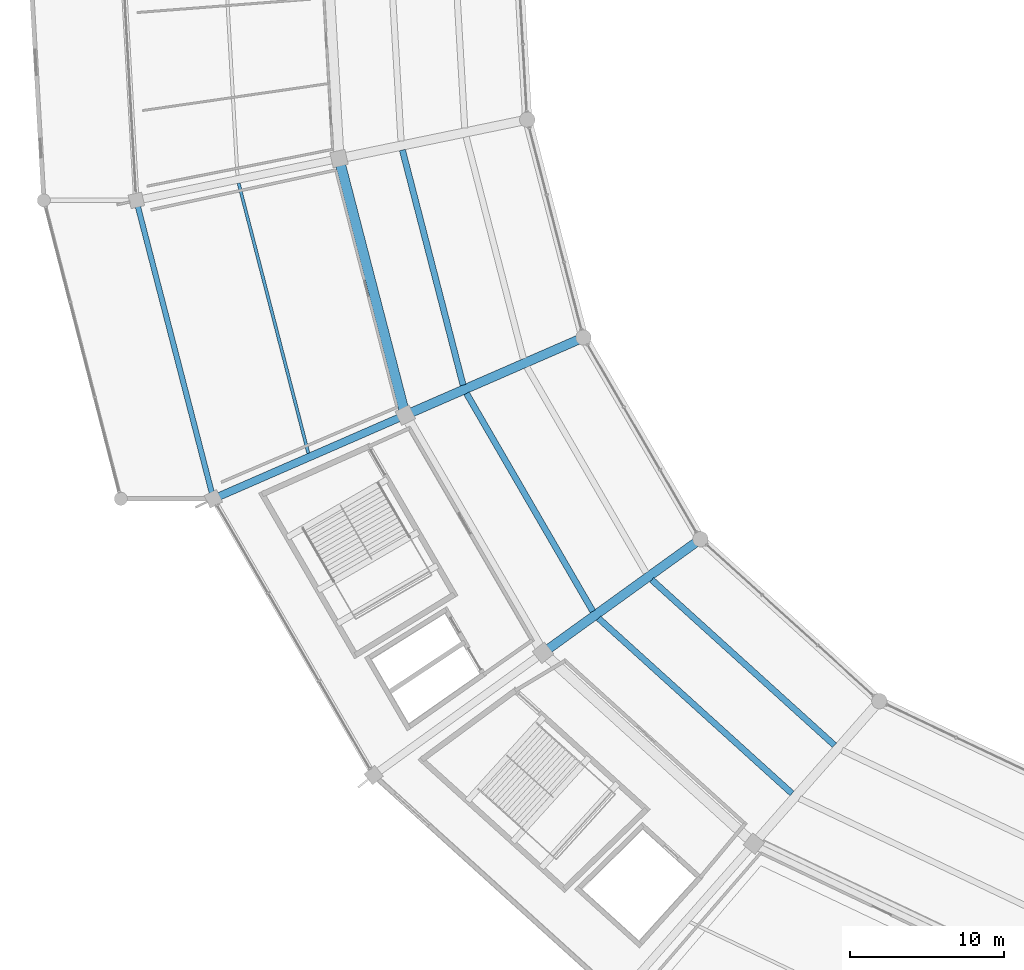
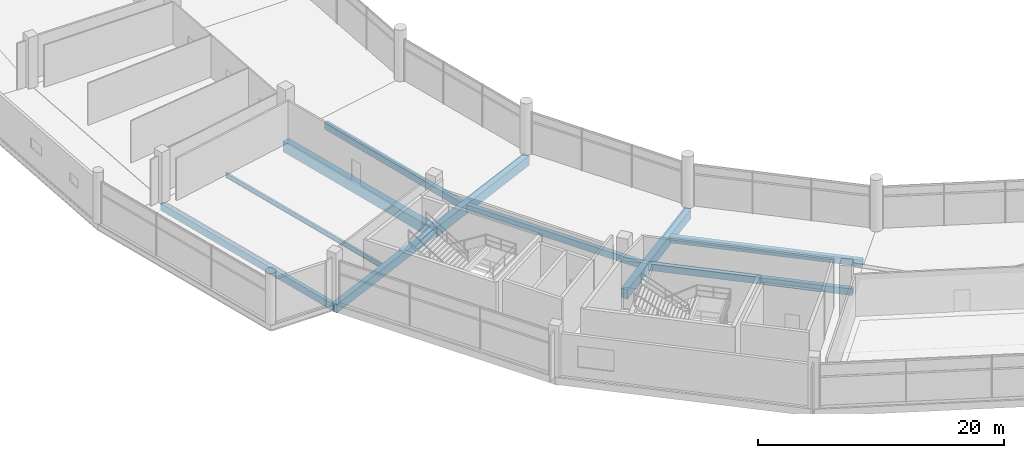
# One storey, part 11 of 184: 10 beams.
"""IFC4 building model written with IfcOpenShell, lengths in metres."""

import ifcopenshell
import ifcopenshell.guid

model = None  # the IFC model being written
_history = None  # IfcOwnerHistory: only IFC2X3 demands one
_inside = {}  # id of a spatial element -> (the spatial element, [elements in it])
_under = {}  # id of a project, library or spatial element -> (it, [spatial elements below it])
_declared = {}  # id of a project -> (the project, [libraries it declares])
_typed = {}  # id of a type object -> (the type object, [elements of that type])
_made_of = {}  # id of a material, layer set ... -> (it, [elements and type objects made of it])


def new_model(schema):
    """Start an empty IFC model of exactly this schema.

    Asked for "IFC4X3", IfcOpenShell would pick the latest addendum, in which some entities
    have other attributes; the version numbers below select the first issue.
    IFC2X3 requires an IfcOwnerHistory on every rooted entity: one is made here for all.
    """
    global model, _history
    if schema == "IFC4X3":
        model = ifcopenshell.file(schema_version=(4, 3, 0, 0))
    else:
        model = ifcopenshell.file(schema=schema)
    _inside.clear()
    _under.clear()
    _declared.clear()
    _typed.clear()
    _made_of.clear()
    _history = None
    if model.schema == "IFC2X3":
        org = make("IfcOrganization", Name="unknown")
        user = make(
            "IfcPersonAndOrganization",
            ThePerson=make("IfcPerson", FamilyName="unknown"),
            TheOrganization=org,
        )
        app = make(
            "IfcApplication",
            ApplicationDeveloper=org,
            Version="unknown",
            ApplicationFullName="unknown",
            ApplicationIdentifier="unknown",
        )
        _history = make(
            "IfcOwnerHistory",
            OwningUser=user,
            OwningApplication=app,
            ChangeAction="ADDED",
            CreationDate=0,
        )
    return model


def make(cls, **values):
    """One entity of the class cls with the attributes given. An attribute that is None is left unset."""
    return model.create_entity(
        cls, **{name: value for name, value in values.items() if value is not None}
    )


def rooted(cls, **values):
    """An entity with a GlobalId (a new one), such as an element, a storey or a relation."""
    return make(cls, GlobalId=ifcopenshell.guid.new(), OwnerHistory=_history, **values)


def si_unit(unit_type, name, prefix=None):
    """IfcSIUnit, for example si_unit("LENGTHUNIT", "METRE", prefix="MILLI")."""
    return make("IfcSIUnit", UnitType=unit_type, Prefix=prefix, Name=name)


def assignment(units):
    """IfcUnitAssignment: the units of a project."""
    return None if units is None else make("IfcUnitAssignment", Units=units)


def point(xyz):
    """IfcCartesianPoint."""
    return None if xyz is None else make("IfcCartesianPoint", Coordinates=xyz)


def direction(xyz):
    """IfcDirection."""
    return None if xyz is None else make("IfcDirection", DirectionRatios=xyz)


def frame(location, z_axis=None, x_axis=None):
    """IfcAxis2Placement3D, a coordinate frame: its origin and axes. An axis left out is left unset."""
    return make(
        "IfcAxis2Placement3D",
        Location=point(location),
        Axis=direction(z_axis),
        RefDirection=direction(x_axis),
    )


def frame_2d(location, x_axis=None):
    """IfcAxis2Placement2D, a coordinate frame in the plane: its origin and x axis."""
    return make(
        "IfcAxis2Placement2D", Location=point(location), RefDirection=direction(x_axis)
    )


def origin():
    """The frame at (0, 0, 0) with its axes left unset."""
    return frame((0.0, 0.0, 0.0))


def origin_2d():
    """The frame at (0, 0) in the plane with its x axis left unset."""
    return frame_2d((0.0, 0.0))


def place(relative_to, where):
    """IfcLocalPlacement: puts the frame where relative to a parent placement (None: the world)."""
    return make(
        "IfcLocalPlacement", PlacementRelTo=relative_to, RelativePlacement=where
    )


def context(
    kind, dimensions, precision=None, world=None, true_north=None, identifier=None
):
    """IfcGeometricRepresentationContext, for example the 3D "Model" context."""
    return make(
        "IfcGeometricRepresentationContext",
        ContextIdentifier=identifier,
        ContextType=kind,
        CoordinateSpaceDimension=dimensions,
        Precision=precision,
        WorldCoordinateSystem=world,
        TrueNorth=true_north,
    )


def subcontext(parent, identifier, kind, view, scale=None):
    """IfcGeometricRepresentationSubContext, for example "Body" below "Model"."""
    return make(
        "IfcGeometricRepresentationSubContext",
        ContextIdentifier=identifier,
        ContextType=kind,
        ParentContext=parent,
        TargetScale=scale,
        TargetView=view,
    )


def project(units=None, contexts=None):
    """IfcProject with its units and contexts."""
    return rooted(
        "IfcProject",
        Name="project",
        RepresentationContexts=contexts,
        UnitsInContext=assignment(units),
    )


def spatial(cls, under=None, at=None, **own):
    """A site, building, storey or space (cls), placed at a placement, below another one or the project."""
    s = rooted(cls, ObjectPlacement=at, **own)
    if under is not None:
        _under.setdefault(under.id(), (under, []))[1].append(s)
    return s


def profile(cls, at=None, kind="AREA", **sizes):
    """A parametric profile (cls). Its sizes go by their IFC names, for example OverallWidth=200.0."""
    return make(cls, ProfileType=kind, Position=at, **sizes)


def rectangle(**sizes):
    """IfcRectangleProfileDef."""
    return profile("IfcRectangleProfileDef", **sizes)


def i_section(**sizes):
    """IfcIShapeProfileDef."""
    return profile("IfcIShapeProfileDef", **sizes)


def extrude(swept, where, along, depth):
    """IfcExtrudedAreaSolid: the profile swept, set in the frame where, extruded along a direction by depth."""
    return make(
        "IfcExtrudedAreaSolid",
        SweptArea=swept,
        Position=where,
        ExtrudedDirection=direction(along),
        Depth=depth,
    )


def shape(context_of_items, identifier, shape_type, items):
    """IfcShapeRepresentation: the items that make up one representation, for example the "Body"."""
    return make(
        "IfcShapeRepresentation",
        ContextOfItems=context_of_items,
        RepresentationIdentifier=identifier,
        RepresentationType=shape_type,
        Items=items,
    )


def material(Name=None, Category=None):
    """IfcMaterial."""
    return make("IfcMaterial", Name=Name, Category=Category)


def material_profile(
    of_material, cross_section, Name=None, Category=None, Priority=None
):
    """IfcMaterialProfile: a cross section and its material."""
    return make(
        "IfcMaterialProfile",
        Name=Name,
        Material=of_material,
        Profile=cross_section,
        Priority=Priority,
        Category=Category,
    )


def profile_set(profiles, Name=None, composite=None):
    """IfcMaterialProfileSet."""
    return make(
        "IfcMaterialProfileSet",
        Name=Name,
        MaterialProfiles=profiles,
        CompositeProfile=composite,
    )


def made_of(thing, what):
    """Note that an element or type object is made of a material, layer set ...; save() writes the relation."""
    if what is not None:
        _made_of.setdefault(what.id(), (what, []))[1].append(thing)
    return thing


def type_object(cls, material=None, **own):
    """A type object (cls), such as IfcWallType, which elements share."""
    return made_of(rooted(cls, **own), material)


def element(
    cls,
    number,
    at=None,
    inside=None,
    cuts=None,
    type_object=None,
    material=None,
    context=None,
    identifier="Body",
    shape_type=None,
    held_by="IfcProductDefinitionShape",
    body=None,
    shapes=None,
    **own,
):
    """One element of the class cls, such as IfcWall. Its Tag is "e" and its number.

    at: its placement. inside: the storey or other place that contains it. cuts: it is an
    opening in that element (IfcRelVoidsElement). A single representation is given by context,
    identifier, shape_type and body (its items); several are given by shapes. held_by: the class
    of the entity that holds the representations. save() writes the other relations.
    """
    e = rooted(cls, Tag="e%d" % number, ObjectPlacement=at, **own)
    if body is not None:
        shapes = [shape(context, identifier, shape_type, body)]
    if shapes is not None:
        e.Representation = make(held_by, Representations=shapes)
    if inside is not None:
        _inside.setdefault(inside.id(), (inside, []))[1].append(e)
    if cuts is not None:
        rooted(
            "IfcRelVoidsElement", RelatingBuildingElement=cuts, RelatedOpeningElement=e
        )
    if type_object is not None:
        _typed.setdefault(type_object.id(), (type_object, []))[1].append(e)
    return made_of(e, material)


def aggregate(whole, parts):
    """IfcRelAggregates: a whole, such as a stair, and the parts it consists of."""
    return rooted("IfcRelAggregates", RelatingObject=whole, RelatedObjects=parts)


def save(model, path):
    """Write the relations noted so far, then the file.

    IfcRelAggregates (storeys below a building ...), IfcRelContainedInSpatialStructure (elements
    in a storey), IfcRelDefinesByType, IfcRelAssociatesMaterial and IfcRelDeclares: one each for
    every whole, place, type object, material and project.
    """
    for whole, parts in _under.values():
        aggregate(whole, parts)
    for where, things in _inside.values():
        rooted(
            "IfcRelContainedInSpatialStructure",
            RelatedElements=things,
            RelatingStructure=where,
        )
    for kind, things in _typed.values():
        rooted("IfcRelDefinesByType", RelatedObjects=things, RelatingType=kind)
    for what, things in _made_of.values():
        rooted("IfcRelAssociatesMaterial", RelatedObjects=things, RelatingMaterial=what)
    for by, libraries in _declared.values():
        rooted("IfcRelDeclares", RelatingContext=by, RelatedDefinitions=libraries)
    model.write(path)


model = new_model("IFC4")

# Units and contexts
model_context = context("Model", 3, precision=1e-05, world=origin(), true_north=direction((0.0, 1.0)))
body_context = subcontext(model_context, "Body", "Model", "MODEL_VIEW")
ifc_project = project(units=[si_unit("LENGTHUNIT", "METRE"), si_unit("AREAUNIT", "SQUARE_METRE"), si_unit("VOLUMEUNIT", "CUBIC_METRE"), si_unit("PLANEANGLEUNIT", "RADIAN"), si_unit("MASSUNIT", "GRAM", prefix="KILO")], contexts=[model_context])

# Site, building, storey
site_placement = place(None, origin())
site = spatial("IfcSite", under=ifc_project, at=site_placement, CompositionType="ELEMENT")
building_placement = place(site_placement, origin())
building = spatial("IfcBuilding", under=site, at=building_placement, Name="Kazemori Nagisa Stadium", CompositionType="ELEMENT")
storey_placement = place(building_placement, frame((0.0, 0.0, 10.5400390625)))
storey = spatial("IfcBuildingStorey", under=building, at=storey_placement, Name="L02", CompositionType="ELEMENT", Elevation=10.5400390625)

# Beams
ifc_material_1 = material(Name="Concrete C40/50 (Fc42)", Category="concrete")
ifc_material_profile_1 = material_profile(ifc_material_1, rectangle(XDim=0.5, YDim=0.85009765625, at=origin_2d()), Name="RC-BM-500x850")
ifc_profile_set_1 = profile_set([ifc_material_profile_1], Name="Concrete C40/50 (Fc42)")
beam_type_1 = type_object("IfcBeamType", Name="Beam_BG-RC500X850", PredefinedType="BEAM", material=ifc_profile_set_1)
beam_1_placement = place(storey_placement, frame((46.55908203125, 68.67529296875, -0.68505859375), z_axis=(-0.916683633521, -0.399613708517, 0.0), x_axis=(0.399613708517, -0.916683633521, 0.0)))
element("IfcBeam", 1, at=beam_1_placement, inside=storey, type_object=beam_type_1, Name="Radial girder BG-RC500X850 L02 R2-R3-17", PredefinedType="BEAM", context=body_context, shape_type="SweptSolid", body=[
    extrude(rectangle(XDim=0.5, YDim=0.85009765625, at=origin_2d()), origin(), (0.0, 0.0, 1.0), 13.5751953125),
])
ifc_material_profile_2 = material_profile(ifc_material_1, rectangle(XDim=0.60009765625, YDim=0.949951171875, at=origin_2d()), Name="RC-BM-600x950")
ifc_profile_set_2 = profile_set([ifc_material_profile_2], Name="Concrete C40/50 (Fc42)")
beam_type_2 = type_object("IfcBeamType", Name="Beam_BG-RC600X950", PredefinedType="BEAM", material=ifc_profile_set_2)
beam_2_placement = place(storey_placement, frame((58.114013671875, 73.712890625, -0.735107421875), z_axis=(-0.916671768981, -0.399640923771, 0.0), x_axis=(0.399640923771, -0.916671768981, 0.0)))
element("IfcBeam", 2, at=beam_2_placement, inside=storey, type_object=beam_type_2, Name="Radial girder BG-RC600X950 L02 R1-R2-17", PredefinedType="BEAM", context=body_context, shape_type="SweptSolid", body=[
    extrude(rectangle(XDim=0.60009765625, YDim=0.949951171875, at=origin_2d()), origin(), (0.0, 0.0, 1.0), 12.605224609375),
])
beam_3_placement = place(storey_placement, frame((65.698486328125, 60.632568359375, -0.735107421875), z_axis=(-0.810802996314, -0.585319144714, 0.0), x_axis=(0.585319144714, -0.810802996314, 0.0)))
element("IfcBeam", 3, at=beam_3_placement, inside=storey, type_object=beam_type_2, Name="Radial girder BG-RC600X950 L02 R1-R2-18", PredefinedType="BEAM", context=body_context, shape_type="SweptSolid", body=[
    extrude(rectangle(XDim=0.60009765625, YDim=0.949951171875, at=origin_2d()), origin(), (0.0, 0.0, 1.0), 12.585693359375),
])
ifc_material_profile_3 = material_profile(ifc_material_1, rectangle(XDim=0.64990234375, YDim=1.050048828125, at=origin_2d()), Name="RC-BM-650x1050")
ifc_profile_set_3 = profile_set([ifc_material_profile_3], Name="Concrete C40/50 (Fc42)")
beam_type_3 = type_object("IfcBeamType", Name="Beam_BG-RC650X1050", PredefinedType="BEAM", material=ifc_profile_set_3)
beam_4_placement = place(storey_placement, frame((42.262451171875, 85.31787109375, -0.78515625), z_axis=(0.249974673676, -0.968252375427, 0.0), x_axis=(0.968252375427, 0.249974673676, 0.0)))
element("IfcBeam", 4, at=beam_4_placement, inside=storey, type_object=beam_type_3, Name="Ring girder BG-RC650X1050 L02 R2-16", PredefinedType="BEAM", context=body_context, shape_type="SweptSolid", body=[
    extrude(rectangle(XDim=0.64990234375, YDim=1.050048828125, at=origin_2d()), origin(), (0.0, 0.0, 1.0), 17.188232421875),
])
ifc_material_2 = material(Name="Steel SN490B", Category="steel")
ifc_material_profile_4 = material_profile(ifc_material_2, i_section(OverallWidth=0.199951171875, OverallDepth=0.449951171875, WebThickness=0.009033203125, FlangeThickness=0.013916015625, FilletRadius=0.012939453125, at=origin_2d()), Name="H-450x200x9x14")
ifc_profile_set_4 = profile_set([ifc_material_profile_4], Name="Steel SN490B")
beam_type_4 = type_object("IfcBeamType", Name="Beam_BJ-H450", PredefinedType="JOIST", material=ifc_profile_set_4)
beam_5_placement = place(storey_placement, frame((35.752197265625, 83.722900390625, -0.485107421875), z_axis=(0.249965739243, -0.968254681995, 0.0), x_axis=(0.968254681995, 0.249965739243, 0.0)))
element("IfcBeam", 5, at=beam_5_placement, inside=storey, type_object=beam_type_4, Name="Outer bay joist BJ-H450 L02 B16", PredefinedType="JOIST", context=body_context, shape_type="SweptSolid", body=[
    extrude(i_section(OverallWidth=0.199951171875, OverallDepth=0.449951171875, WebThickness=0.009033203125, FlangeThickness=0.013916015625, FilletRadius=0.012939453125, at=origin_2d()), origin(), (0.0, 0.0, 1.0), 18.09716796875),
])
ifc_material_profile_5 = material_profile(ifc_material_1, rectangle(XDim=0.39990234375, YDim=0.64990234375, at=origin_2d()), Name="RC-BM-400x650")
ifc_profile_set_5 = profile_set([ifc_material_profile_5], Name="Concrete C40/50 (Fc42)")
beam_type_5 = type_object("IfcBeamType", Name="Beam_BJ-RC400X650", PredefinedType="JOIST", material=ifc_profile_set_5)
beam_6_placement = place(storey_placement, frame((46.373046875, 85.866455078125, -0.5849609375), z_axis=(0.24997419154, -0.968252499901, 0.0), x_axis=(0.968252499901, 0.24997419154, 0.0)))
element("IfcBeam", 6, at=beam_6_placement, inside=storey, type_object=beam_type_5, Name="Concourse joist BJ-RC400X650 L02 B16-2", PredefinedType="JOIST", context=body_context, shape_type="SweptSolid", body=[
    extrude(rectangle(XDim=0.39990234375, YDim=0.64990234375, at=origin_2d()), origin(), (0.0, 0.0, 1.0), 15.739013671875),
])
beam_7_placement = place(storey_placement, frame((50.529052734375, 70.08642578125, -0.5849609375), z_axis=(0.501604213872, -0.865097227268, 0.0), x_axis=(0.865097227268, 0.501604213872, 0.0)))
element("IfcBeam", 7, at=beam_7_placement, inside=storey, type_object=beam_type_5, Name="Concourse joist BJ-RC400X650 L02 B17-2", PredefinedType="JOIST", context=body_context, shape_type="SweptSolid", body=[
    extrude(rectangle(XDim=0.39990234375, YDim=0.64990234375, at=origin_2d()), origin(), (0.0, 0.0, 1.0), 16.331787109375),
])
beam_8_placement = place(storey_placement, frame((62.541748046875, 57.998046875, -0.5849609375), z_axis=(0.741344716793, -0.671124437704, 0.0), x_axis=(0.671124437704, 0.741344716793, 0.0)))
element("IfcBeam", 8, at=beam_8_placement, inside=storey, type_object=beam_type_5, Name="Concourse joist BJ-RC400X650 L02 B18-1", PredefinedType="JOIST", context=body_context, shape_type="SweptSolid", body=[
    extrude(rectangle(XDim=0.39990234375, YDim=0.64990234375, at=origin_2d()), origin(), (0.0, 0.0, 1.0), 15.986328125),
])
beam_9_placement = place(storey_placement, frame((59.087890625, 55.504638671875, -0.5849609375), z_axis=(0.741349213887, -0.671119470041, 0.0), x_axis=(0.671119470041, 0.741349213887, 0.0)))
element("IfcBeam", 9, at=beam_9_placement, inside=storey, type_object=beam_type_5, Name="Concourse joist BJ-RC400X650 L02 B18-2", PredefinedType="JOIST", context=body_context, shape_type="SweptSolid", body=[
    extrude(rectangle(XDim=0.39990234375, YDim=0.64990234375, at=origin_2d()), origin(), (0.0, 0.0, 1.0), 16.9296875),
])
ifc_material_profile_6 = material_profile(ifc_material_1, rectangle(XDim=0.35009765625, YDim=0.699951171875, at=origin_2d()), Name="RC-SP-350x700")
ifc_profile_set_6 = profile_set([ifc_material_profile_6], Name="Concrete C40/50 (Fc42)")
beam_type_6 = type_object("IfcBeamType", Name="Beam_BS-RC350X700", PredefinedType="SPANDREL", material=ifc_profile_set_6)
beam_10_placement = place(storey_placement, frame((29.119140625, 82.602294921875, -0.610107421875), z_axis=(0.249964097999, -0.968255105699, 0.0), x_axis=(0.968255105699, 0.249964097999, 0.0)))
element("IfcBeam", 10, at=beam_10_placement, inside=storey, type_object=beam_type_6, Name="Ring girder BS-RC350X700 L02 R3-16", PredefinedType="SPANDREL", context=body_context, shape_type="SweptSolid", body=[
    extrude(rectangle(XDim=0.35009765625, YDim=0.699951171875, at=origin_2d()), origin(), (0.0, 0.0, 1.0), 19.986328125),
])

save(model, "model.ifc")
